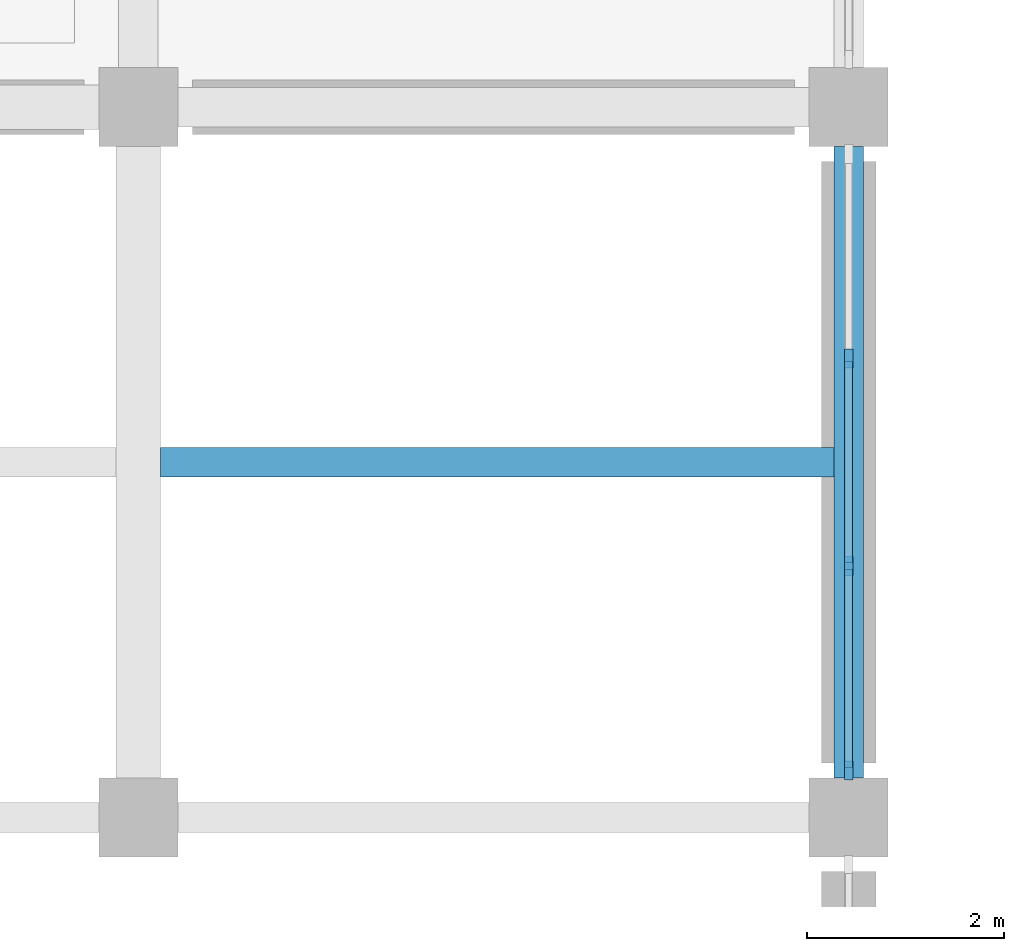
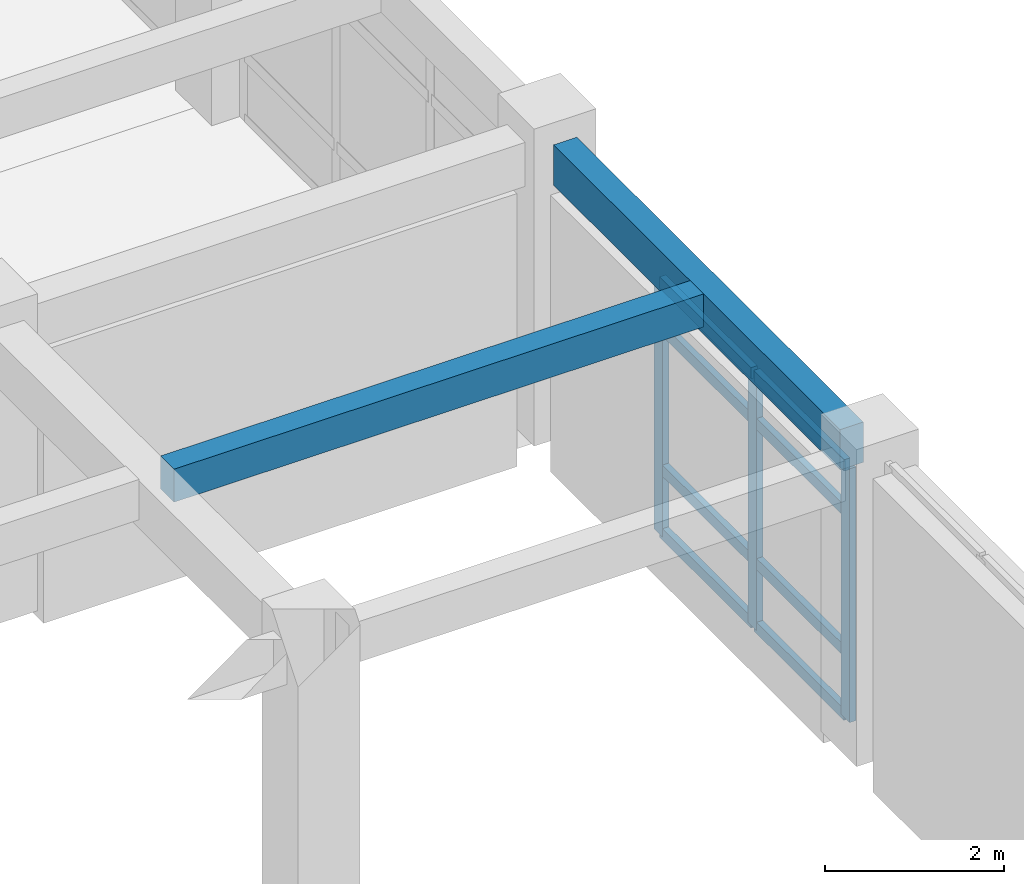
# One storey, part 6 of 70: 11 members, 2 beams, 1 element without a shape of its own.
"""IFC4 building model written with IfcOpenShell, lengths in metres."""

from ifc_helpers import new_model, si_unit, direction, frame, origin, origin_2d, place, context, subcontext, project, spatial, rectangle, extrude, material, layer, layer_set, material_profile, profile_set, type_object, element, aggregate, save


model = new_model("IFC4")

# Units and contexts
model_context = context("Model", 3, precision=1e-05, world=origin(), true_north=direction((0.0, 1.0)))
body_context = subcontext(model_context, "Body", "Model", "MODEL_VIEW")
ifc_project = project(units=[si_unit("LENGTHUNIT", "METRE"), si_unit("AREAUNIT", "SQUARE_METRE"), si_unit("VOLUMEUNIT", "CUBIC_METRE"), si_unit("PLANEANGLEUNIT", "RADIAN"), si_unit("MASSUNIT", "GRAM", prefix="KILO")], contexts=[model_context])

# Site, building, storey
site_placement = place(None, origin())
site = spatial("IfcSite", under=ifc_project, at=site_placement, CompositionType="ELEMENT")
building_placement = place(site_placement, origin())
building = spatial("IfcBuilding", under=site, at=building_placement, Name="Kavelor Marine Aquarium", CompositionType="ELEMENT")
storey_placement = place(building_placement, frame((0.0, 0.0, 9.179931640625)))
storey = spatial("IfcBuildingStorey", under=building, at=storey_placement, Name="L02", CompositionType="ELEMENT", Elevation=9.179931640625)

# Beams
ifc_material_1 = material(Name="Concrete C40/50", Category="concrete")
ifc_material_profile_1 = material_profile(ifc_material_1, rectangle(XDim=0.300048828125, YDim=0.449951171875, at=origin_2d()), Name="RC-JS 300x450")
ifc_profile_set_1 = profile_set([ifc_material_profile_1], Name="Concrete C40/50")
beam_type_1 = type_object("IfcBeamType", Name="BM-JS1", PredefinedType="JOIST", material=ifc_profile_set_1)
beam_1_placement = place(storey_placement, frame((32.22509765625, 64.0, 3.795166015625), z_axis=(1.0, 0.0, 0.0), x_axis=(0.0, 1.0, 0.0)))
element("IfcBeam", 1, at=beam_1_placement, inside=storey, type_object=beam_type_1, Name="js:L02:L03:04_08", PredefinedType="JOIST", context=body_context, shape_type="SweptSolid", body=[
    extrude(rectangle(XDim=0.300048828125, YDim=0.449951171875, at=origin_2d()), origin(), (0.0, 0.0, 1.0), 6.824951171875),
])
ifc_material_2 = material(Name="Concrete C40/50", Category="concrete")
ifc_material_profile_2 = material_profile(ifc_material_2, rectangle(XDim=0.300048828125, YDim=0.550048828125, at=origin_2d()), Name="RC-SP 300x550")
ifc_profile_set_2 = profile_set([ifc_material_profile_2], Name="Concrete C40/50")
beam_type_2 = type_object("IfcBeamType", Name="BM-SP2", PredefinedType="SPANDREL", material=ifc_profile_set_2)
beam_2_placement = place(storey_placement, frame((39.199951171875, 60.800048828125, 3.7451171875), z_axis=(0.0, 1.0, 0.0), x_axis=(-1.0, 0.0, 0.0)))
element("IfcBeam", 2, at=beam_2_placement, inside=storey, type_object=beam_type_2, Name="bm:y:L02:L03:05_08", PredefinedType="SPANDREL", context=body_context, shape_type="SweptSolid", body=[
    extrude(rectangle(XDim=0.300048828125, YDim=0.550048828125, at=origin_2d()), origin(), (0.0, 0.0, 1.0), 6.39990234375),
])

# Curtain wall, members
ifc_material_3 = material(Name="Thermally Broken Aluminium and Low-E Glass", Category="aluminium")
ifc_layer = layer(ifc_material_3, 0.30810546875)
ifc_layer_set = layer_set([ifc_layer], Name="CW-SYS21")
curtain_wall_type = type_object("IfcCurtainWallType", Name="CW-SYS21", PredefinedType="USERDEFINED", material=ifc_layer_set)
curtain_wall_placement = place(storey_placement, origin())
curtain_wall = element("IfcCurtainWall", 3, at=curtain_wall_placement, inside=storey, type_object=curtain_wall_type, Name="cw:y:L02:05_08", ObjectType="Curtain Wall", PredefinedType="USERDEFINED")
ifc_material_4 = material(Name="Anodised Aluminium Alloy 6063-T6", Category="aluminium")
ifc_material_profile_3 = material_profile(ifc_material_4, rectangle(XDim=0.0849609375, YDim=0.18994140625, at=origin_2d()), Name="CW-MUL 85x190")
ifc_profile_set_3 = profile_set([ifc_material_profile_3], Name="Anodised Aluminium Alloy 6063-T6")
member_type_1 = type_object("IfcMemberType", Name="CWM-3", PredefinedType="MULLION", material=ifc_profile_set_3)
member_1_placement = place(storey_placement, frame((39.199951171875, 60.875, 0.0), z_axis=(0.0, 0.0, 1.0), x_axis=(-1.0, 0.0, 0.0)))
member_1 = element("IfcMember", 4, at=member_1_placement, type_object=member_type_1, Name="CW21 mullion 1", PredefinedType="MULLION", context=body_context, shape_type="SweptSolid", body=[
    extrude(rectangle(XDim=0.0849609375, YDim=0.18994140625, at=origin_2d()), origin(), (0.0, 0.0, 1.0), 3.4599609375),
])
member_2_placement = place(storey_placement, frame((39.199951171875, 62.9482421875, 0.0), z_axis=(0.0, 0.0, 1.0), x_axis=(-1.0, 0.0, 0.0)))
member_2 = element("IfcMember", 5, at=member_2_placement, type_object=member_type_1, Name="CW21 mullion 2", PredefinedType="MULLION", context=body_context, shape_type="SweptSolid", body=[
    extrude(rectangle(XDim=0.0849609375, YDim=0.18994140625, at=origin_2d()), origin(), (0.0, 0.0, 1.0), 3.4599609375),
])
member_3_placement = place(storey_placement, frame((39.199951171875, 65.0517578125, 0.0), z_axis=(0.0, 0.0, 1.0), x_axis=(-1.0, 0.0, 0.0)))
member_3 = element("IfcMember", 6, at=member_3_placement, type_object=member_type_1, Name="CW21 mullion 3", PredefinedType="MULLION", context=body_context, shape_type="SweptSolid", body=[
    extrude(rectangle(XDim=0.0849609375, YDim=0.18994140625, at=origin_2d()), origin(), (0.0, 0.0, 1.0), 3.4599609375),
])
ifc_material_5 = material(Name="Anodised Aluminium Alloy 6063-T6", Category="aluminium")
ifc_material_profile_4 = material_profile(ifc_material_5, rectangle(XDim=0.080078125, YDim=0.155029296875, at=origin_2d()), Name="CW-TRN 80x155")
ifc_profile_set_4 = profile_set([ifc_material_profile_4], Name="Anodised Aluminium Alloy 6063-T6")
member_type_2 = type_object("IfcMemberType", Name="CWT-2", PredefinedType="USERDEFINED", material=ifc_profile_set_4)
member_4_placement = place(storey_placement, frame((39.199951171875, 60.905029296875, 0.032470703125), z_axis=(0.0, 1.0, 0.0), x_axis=(-1.0, 0.0, 0.0)))
member_4 = element("IfcMember", 7, at=member_4_placement, type_object=member_type_2, Name="CW21 transom 1.1", ObjectType="TRANSOM", PredefinedType="USERDEFINED", context=body_context, shape_type="SweptSolid", body=[
    extrude(rectangle(XDim=0.080078125, YDim=0.155029296875, at=origin_2d()), origin(), (0.0, 0.0, 1.0), 2.01318359375),
])
member_5_placement = place(storey_placement, frame((39.199951171875, 60.905029296875, 0.900146484375), z_axis=(0.0, 1.0, 0.0), x_axis=(-1.0, 0.0, 0.0)))
member_5 = element("IfcMember", 8, at=member_5_placement, type_object=member_type_2, Name="CW21 transom 1.2", ObjectType="TRANSOM", PredefinedType="USERDEFINED", context=body_context, shape_type="SweptSolid", body=[
    extrude(rectangle(XDim=0.080078125, YDim=0.155029296875, at=origin_2d()), origin(), (0.0, 0.0, 1.0), 2.01318359375),
])
member_6_placement = place(storey_placement, frame((39.199951171875, 60.905029296875, 2.81005859375), z_axis=(0.0, 1.0, 0.0), x_axis=(-1.0, 0.0, 0.0)))
member_6 = element("IfcMember", 9, at=member_6_placement, type_object=member_type_2, Name="CW21 transom 1.3", ObjectType="TRANSOM", PredefinedType="USERDEFINED", context=body_context, shape_type="SweptSolid", body=[
    extrude(rectangle(XDim=0.080078125, YDim=0.155029296875, at=origin_2d()), origin(), (0.0, 0.0, 1.0), 2.01318359375),
])
member_7_placement = place(storey_placement, frame((39.199951171875, 60.905029296875, 3.427490234375), z_axis=(0.0, 1.0, 0.0), x_axis=(-1.0, 0.0, 0.0)))
member_7 = element("IfcMember", 10, at=member_7_placement, type_object=member_type_2, Name="CW21 transom 1.4", ObjectType="TRANSOM", PredefinedType="USERDEFINED", context=body_context, shape_type="SweptSolid", body=[
    extrude(rectangle(XDim=0.080078125, YDim=0.155029296875, at=origin_2d()), origin(), (0.0, 0.0, 1.0), 2.01318359375),
])
member_8_placement = place(storey_placement, frame((39.199951171875, 62.978271484375, 0.032470703125), z_axis=(0.0, 1.0, 0.0), x_axis=(-1.0, 0.0, 0.0)))
member_8 = element("IfcMember", 11, at=member_8_placement, type_object=member_type_2, Name="CW21 transom 2.1", ObjectType="TRANSOM", PredefinedType="USERDEFINED", context=body_context, shape_type="SweptSolid", body=[
    extrude(rectangle(XDim=0.080078125, YDim=0.155029296875, at=origin_2d()), origin(), (0.0, 0.0, 1.0), 2.04345703125),
])
member_9_placement = place(storey_placement, frame((39.199951171875, 62.978271484375, 0.900146484375), z_axis=(0.0, 1.0, 0.0), x_axis=(-1.0, 0.0, 0.0)))
member_9 = element("IfcMember", 12, at=member_9_placement, type_object=member_type_2, Name="CW21 transom 2.2", ObjectType="TRANSOM", PredefinedType="USERDEFINED", context=body_context, shape_type="SweptSolid", body=[
    extrude(rectangle(XDim=0.080078125, YDim=0.155029296875, at=origin_2d()), origin(), (0.0, 0.0, 1.0), 2.04345703125),
])
member_10_placement = place(storey_placement, frame((39.199951171875, 62.978271484375, 2.81005859375), z_axis=(0.0, 1.0, 0.0), x_axis=(-1.0, 0.0, 0.0)))
member_10 = element("IfcMember", 13, at=member_10_placement, type_object=member_type_2, Name="CW21 transom 2.3", ObjectType="TRANSOM", PredefinedType="USERDEFINED", context=body_context, shape_type="SweptSolid", body=[
    extrude(rectangle(XDim=0.080078125, YDim=0.155029296875, at=origin_2d()), origin(), (0.0, 0.0, 1.0), 2.04345703125),
])
member_11_placement = place(storey_placement, frame((39.199951171875, 62.978271484375, 3.427490234375), z_axis=(0.0, 1.0, 0.0), x_axis=(-1.0, 0.0, 0.0)))
member_11 = element("IfcMember", 14, at=member_11_placement, type_object=member_type_2, Name="CW21 transom 2.4", ObjectType="TRANSOM", PredefinedType="USERDEFINED", context=body_context, shape_type="SweptSolid", body=[
    extrude(rectangle(XDim=0.080078125, YDim=0.155029296875, at=origin_2d()), origin(), (0.0, 0.0, 1.0), 2.04345703125),
])
aggregate(curtain_wall, [member_1, member_2, member_3, member_4, member_5, member_6, member_7, member_8, member_9, member_10, member_11])

save(model, "model.ifc")
